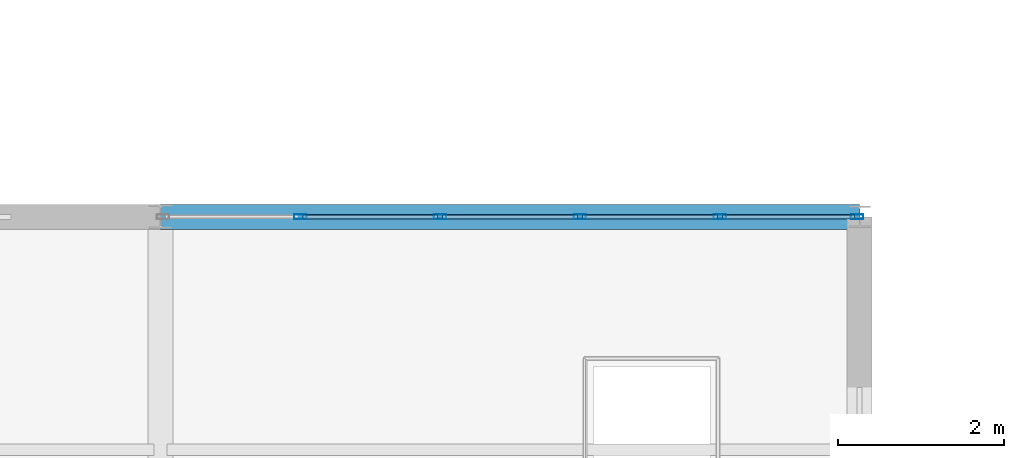
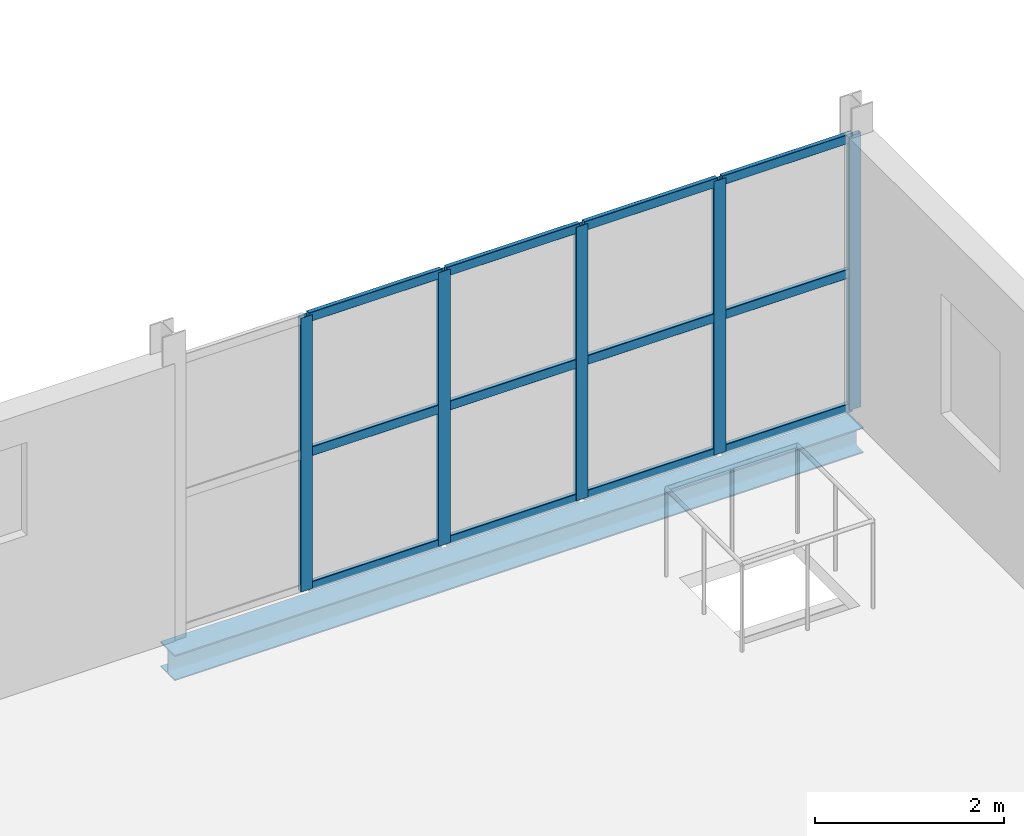
# One storey, part 104 of 163: 17 members, 1 beam, 1 element without a shape of its own.
"""IFC4 building model written with IfcOpenShell, lengths in metres."""

from ifc_helpers import new_model, si_unit, direction, frame, origin, origin_2d, place, context, subcontext, project, spatial, hollow_rectangle, i_section, extrude, material, layer, layer_set, material_profile, profile_set, type_object, element, aggregate, save


model = new_model("IFC4")

# Units and contexts
model_context = context("Model", 3, precision=1e-05, world=origin(), true_north=direction((0.0, 1.0)))
body_context = subcontext(model_context, "Body", "Model", "MODEL_VIEW")
ifc_project = project(units=[si_unit("LENGTHUNIT", "METRE"), si_unit("AREAUNIT", "SQUARE_METRE"), si_unit("VOLUMEUNIT", "CUBIC_METRE"), si_unit("PLANEANGLEUNIT", "RADIAN"), si_unit("MASSUNIT", "GRAM", prefix="KILO")], contexts=[model_context])

# Site, building, storey
site_placement = place(None, origin())
site = spatial("IfcSite", under=ifc_project, at=site_placement, CompositionType="ELEMENT")
building_placement = place(site_placement, origin())
building = spatial("IfcBuilding", under=site, at=building_placement, Name="Qalvenar Corner Mobility Hub", CompositionType="ELEMENT")
storey_placement = place(building_placement, frame((0.0, 0.0, 4.800048828125)))
storey = spatial("IfcBuildingStorey", under=building, at=storey_placement, Name="L01", CompositionType="ELEMENT", Elevation=4.800048828125)

# Beam
ifc_material_1 = material(Name="Steel S355", Category="steel")
ifc_material_profile_1 = material_profile(ifc_material_1, i_section(OverallWidth=0.300048828125, OverallDepth=0.330078125, WebThickness=0.009521484375, FlangeThickness=0.0166015625, FilletRadius=0.027099609375, at=origin_2d()), Name="HEA340")
ifc_profile_set_1 = profile_set([ifc_material_profile_1], Name="Steel S355")
beam_type = type_object("IfcBeamType", Name="BM-SPN340", PredefinedType="SPANDREL", material=ifc_profile_set_1)
beam_placement = place(storey_placement, frame((159.60009765625, 50.39990234375, -0.344970703125), z_axis=(1.0, 0.0, 0.0), x_axis=(0.0, 1.0, 0.0)))
element("IfcBeam", 1, at=beam_placement, inside=storey, type_object=beam_type, Name="Primary Steel Girder GX-1026", PredefinedType="SPANDREL", context=body_context, shape_type="SweptSolid", body=[
    extrude(i_section(OverallWidth=0.300048828125, OverallDepth=0.330078125, WebThickness=0.009521484375, FlangeThickness=0.0166015625, FilletRadius=0.027099609375, at=origin_2d()), origin(), (0.0, 0.0, 1.0), 8.39990234375),
])

# Curtain wall, members
ifc_material_2 = material(Name="Anodised Aluminium and Low-E Glazing", Category="aluminium")
ifc_layer = layer(ifc_material_2, 0.14990234375)
ifc_layer_set = layer_set([ifc_layer], Name="Anodised Aluminium and Low-E Glazing")
curtain_wall_type = type_object("IfcCurtainWallType", Name="CW-WKS-84X44", PredefinedType="NOTDEFINED", material=ifc_layer_set)
curtain_wall_placement = place(storey_placement, origin())
curtain_wall = element("IfcCurtainWall", 2, at=curtain_wall_placement, inside=storey, type_object=curtain_wall_type, Name="Glazed Curtain Wall CW-V6-L01-N6", PredefinedType="NOTDEFINED")
ifc_material_3 = material(Name="Anodised Aluminium 6063-T6", Category="aluminium")
ifc_material_profile_2 = material_profile(ifc_material_3, hollow_rectangle(XDim=0.06005859375, YDim=0.14990234375, WallThickness=0.00390625, InnerFilletRadius=0.00390625, OuterFilletRadius=0.008056640625, at=origin_2d()), Name="RHS150x60x4")
ifc_profile_set_2 = profile_set([ifc_material_profile_2], Name="Anodised Aluminium 6063-T6")
member_type_1 = type_object("IfcMemberType", Name="CW-MUL150", PredefinedType="MULLION", material=ifc_profile_set_2)
member_1_placement = place(storey_placement, frame((167.969970703125, 50.39990234375, 0.0), z_axis=(0.0, 0.0, 1.0), x_axis=(0.0, -1.0, 0.0)))
member_1 = element("IfcMember", 3, at=member_1_placement, type_object=member_type_1, Name="CW-09 mullion 1", PredefinedType="MULLION", context=body_context, shape_type="SweptSolid", body=[
    extrude(hollow_rectangle(XDim=0.06005859375, YDim=0.14990234375, WallThickness=0.00390625, InnerFilletRadius=0.00390625, OuterFilletRadius=0.008056640625, at=origin_2d()), origin(), (0.0, 0.0, 1.0), 3.530029296875),
])
member_2_placement = place(storey_placement, frame((166.320068359375, 50.39990234375, 0.0), z_axis=(0.0, 0.0, 1.0), x_axis=(0.0, -1.0, 0.0)))
member_2 = element("IfcMember", 4, at=member_2_placement, type_object=member_type_1, Name="CW-09 mullion 2", PredefinedType="MULLION", context=body_context, shape_type="SweptSolid", body=[
    extrude(hollow_rectangle(XDim=0.06005859375, YDim=0.14990234375, WallThickness=0.00390625, InnerFilletRadius=0.00390625, OuterFilletRadius=0.008056640625, at=origin_2d()), origin(), (0.0, 0.0, 1.0), 3.530029296875),
])
member_3_placement = place(storey_placement, frame((164.639892578125, 50.39990234375, 0.0), z_axis=(0.0, 0.0, 1.0), x_axis=(0.0, -1.0, 0.0)))
member_3 = element("IfcMember", 5, at=member_3_placement, type_object=member_type_1, Name="CW-09 mullion 3", PredefinedType="MULLION", context=body_context, shape_type="SweptSolid", body=[
    extrude(hollow_rectangle(XDim=0.06005859375, YDim=0.14990234375, WallThickness=0.00390625, InnerFilletRadius=0.00390625, OuterFilletRadius=0.008056640625, at=origin_2d()), origin(), (0.0, 0.0, 1.0), 3.530029296875),
])
member_4_placement = place(storey_placement, frame((162.9599609375, 50.39990234375, 0.0), z_axis=(0.0, 0.0, 1.0), x_axis=(0.0, -1.0, 0.0)))
member_4 = element("IfcMember", 6, at=member_4_placement, type_object=member_type_1, Name="CW-09 mullion 4", PredefinedType="MULLION", context=body_context, shape_type="SweptSolid", body=[
    extrude(hollow_rectangle(XDim=0.06005859375, YDim=0.14990234375, WallThickness=0.00390625, InnerFilletRadius=0.00390625, OuterFilletRadius=0.008056640625, at=origin_2d()), origin(), (0.0, 0.0, 1.0), 3.530029296875),
])
member_5_placement = place(storey_placement, frame((161.280029296875, 50.39990234375, 0.0), z_axis=(0.0, 0.0, 1.0), x_axis=(0.0, -1.0, 0.0)))
member_5 = element("IfcMember", 7, at=member_5_placement, type_object=member_type_1, Name="CW-09 mullion 5", PredefinedType="MULLION", context=body_context, shape_type="SweptSolid", body=[
    extrude(hollow_rectangle(XDim=0.06005859375, YDim=0.14990234375, WallThickness=0.00390625, InnerFilletRadius=0.00390625, OuterFilletRadius=0.008056640625, at=origin_2d()), origin(), (0.0, 0.0, 1.0), 3.530029296875),
])
ifc_material_profile_3 = material_profile(ifc_material_3, hollow_rectangle(XDim=0.054931640625, YDim=0.1201171875, WallThickness=0.00341796875, InnerFilletRadius=0.00341796875, OuterFilletRadius=0.007080078125, at=origin_2d()), Name="RHS120x55x3.5")
ifc_profile_set_3 = profile_set([ifc_material_profile_3], Name="Anodised Aluminium 6063-T6")
member_type_2 = type_object("IfcMemberType", Name="CW-TRN120", PredefinedType="USERDEFINED", material=ifc_profile_set_3)
member_6_placement = place(storey_placement, frame((167.93994140625, 50.39990234375, 0.02734375), z_axis=(-1.0, 0.0, 0.0), x_axis=(0.0, -1.0, 0.0)))
member_6 = element("IfcMember", 8, at=member_6_placement, type_object=member_type_2, Name="CW-09 transom 1.1", ObjectType="TRANSOM", PredefinedType="USERDEFINED", context=body_context, shape_type="SweptSolid", body=[
    extrude(hollow_rectangle(XDim=0.054931640625, YDim=0.1201171875, WallThickness=0.00341796875, InnerFilletRadius=0.00341796875, OuterFilletRadius=0.007080078125, at=origin_2d()), origin(), (0.0, 0.0, 1.0), 1.58984375),
])
member_7_placement = place(storey_placement, frame((167.93994140625, 50.39990234375, 1.764892578125), z_axis=(-1.0, 0.0, 0.0), x_axis=(0.0, -1.0, 0.0)))
member_7 = element("IfcMember", 9, at=member_7_placement, type_object=member_type_2, Name="CW-09 transom 1.2", ObjectType="TRANSOM", PredefinedType="USERDEFINED", context=body_context, shape_type="SweptSolid", body=[
    extrude(hollow_rectangle(XDim=0.054931640625, YDim=0.1201171875, WallThickness=0.00341796875, InnerFilletRadius=0.00341796875, OuterFilletRadius=0.007080078125, at=origin_2d()), origin(), (0.0, 0.0, 1.0), 1.58984375),
])
member_8_placement = place(storey_placement, frame((167.93994140625, 50.39990234375, 3.50244140625), z_axis=(-1.0, 0.0, 0.0), x_axis=(0.0, -1.0, 0.0)))
member_8 = element("IfcMember", 10, at=member_8_placement, type_object=member_type_2, Name="CW-09 transom 1.3", ObjectType="TRANSOM", PredefinedType="USERDEFINED", context=body_context, shape_type="SweptSolid", body=[
    extrude(hollow_rectangle(XDim=0.054931640625, YDim=0.1201171875, WallThickness=0.00341796875, InnerFilletRadius=0.00341796875, OuterFilletRadius=0.007080078125, at=origin_2d()), origin(), (0.0, 0.0, 1.0), 1.58984375),
])
member_9_placement = place(storey_placement, frame((166.2900390625, 50.39990234375, 0.02734375), z_axis=(-1.0, 0.0, 0.0), x_axis=(0.0, -1.0, 0.0)))
member_9 = element("IfcMember", 11, at=member_9_placement, type_object=member_type_2, Name="CW-09 transom 2.1", ObjectType="TRANSOM", PredefinedType="USERDEFINED", context=body_context, shape_type="SweptSolid", body=[
    extrude(hollow_rectangle(XDim=0.054931640625, YDim=0.1201171875, WallThickness=0.00341796875, InnerFilletRadius=0.00341796875, OuterFilletRadius=0.007080078125, at=origin_2d()), origin(), (0.0, 0.0, 1.0), 1.6201171875),
])
member_10_placement = place(storey_placement, frame((166.2900390625, 50.39990234375, 1.764892578125), z_axis=(-1.0, 0.0, 0.0), x_axis=(0.0, -1.0, 0.0)))
member_10 = element("IfcMember", 12, at=member_10_placement, type_object=member_type_2, Name="CW-09 transom 2.2", ObjectType="TRANSOM", PredefinedType="USERDEFINED", context=body_context, shape_type="SweptSolid", body=[
    extrude(hollow_rectangle(XDim=0.054931640625, YDim=0.1201171875, WallThickness=0.00341796875, InnerFilletRadius=0.00341796875, OuterFilletRadius=0.007080078125, at=origin_2d()), origin(), (0.0, 0.0, 1.0), 1.6201171875),
])
member_11_placement = place(storey_placement, frame((166.2900390625, 50.39990234375, 3.50244140625), z_axis=(-1.0, 0.0, 0.0), x_axis=(0.0, -1.0, 0.0)))
member_11 = element("IfcMember", 13, at=member_11_placement, type_object=member_type_2, Name="CW-09 transom 2.3", ObjectType="TRANSOM", PredefinedType="USERDEFINED", context=body_context, shape_type="SweptSolid", body=[
    extrude(hollow_rectangle(XDim=0.054931640625, YDim=0.1201171875, WallThickness=0.00341796875, InnerFilletRadius=0.00341796875, OuterFilletRadius=0.007080078125, at=origin_2d()), origin(), (0.0, 0.0, 1.0), 1.6201171875),
])
member_12_placement = place(storey_placement, frame((164.610107421875, 50.39990234375, 0.02734375), z_axis=(-1.0, 0.0, 0.0), x_axis=(0.0, -1.0, 0.0)))
member_12 = element("IfcMember", 14, at=member_12_placement, type_object=member_type_2, Name="CW-09 transom 3.1", ObjectType="TRANSOM", PredefinedType="USERDEFINED", context=body_context, shape_type="SweptSolid", body=[
    extrude(hollow_rectangle(XDim=0.054931640625, YDim=0.1201171875, WallThickness=0.00341796875, InnerFilletRadius=0.00341796875, OuterFilletRadius=0.007080078125, at=origin_2d()), origin(), (0.0, 0.0, 1.0), 1.6201171875),
])
member_13_placement = place(storey_placement, frame((164.610107421875, 50.39990234375, 1.764892578125), z_axis=(-1.0, 0.0, 0.0), x_axis=(0.0, -1.0, 0.0)))
member_13 = element("IfcMember", 15, at=member_13_placement, type_object=member_type_2, Name="CW-09 transom 3.2", ObjectType="TRANSOM", PredefinedType="USERDEFINED", context=body_context, shape_type="SweptSolid", body=[
    extrude(hollow_rectangle(XDim=0.054931640625, YDim=0.1201171875, WallThickness=0.00341796875, InnerFilletRadius=0.00341796875, OuterFilletRadius=0.007080078125, at=origin_2d()), origin(), (0.0, 0.0, 1.0), 1.6201171875),
])
member_14_placement = place(storey_placement, frame((164.610107421875, 50.39990234375, 3.50244140625), z_axis=(-1.0, 0.0, 0.0), x_axis=(0.0, -1.0, 0.0)))
member_14 = element("IfcMember", 16, at=member_14_placement, type_object=member_type_2, Name="CW-09 transom 3.3", ObjectType="TRANSOM", PredefinedType="USERDEFINED", context=body_context, shape_type="SweptSolid", body=[
    extrude(hollow_rectangle(XDim=0.054931640625, YDim=0.1201171875, WallThickness=0.00341796875, InnerFilletRadius=0.00341796875, OuterFilletRadius=0.007080078125, at=origin_2d()), origin(), (0.0, 0.0, 1.0), 1.6201171875),
])
member_15_placement = place(storey_placement, frame((162.929931640625, 50.39990234375, 0.02734375), z_axis=(-1.0, 0.0, 0.0), x_axis=(0.0, -1.0, 0.0)))
member_15 = element("IfcMember", 17, at=member_15_placement, type_object=member_type_2, Name="CW-09 transom 4.1", ObjectType="TRANSOM", PredefinedType="USERDEFINED", context=body_context, shape_type="SweptSolid", body=[
    extrude(hollow_rectangle(XDim=0.054931640625, YDim=0.1201171875, WallThickness=0.00341796875, InnerFilletRadius=0.00341796875, OuterFilletRadius=0.007080078125, at=origin_2d()), origin(), (0.0, 0.0, 1.0), 1.619873046875),
])
member_16_placement = place(storey_placement, frame((162.929931640625, 50.39990234375, 1.764892578125), z_axis=(-1.0, 0.0, 0.0), x_axis=(0.0, -1.0, 0.0)))
member_16 = element("IfcMember", 18, at=member_16_placement, type_object=member_type_2, Name="CW-09 transom 4.2", ObjectType="TRANSOM", PredefinedType="USERDEFINED", context=body_context, shape_type="SweptSolid", body=[
    extrude(hollow_rectangle(XDim=0.054931640625, YDim=0.1201171875, WallThickness=0.00341796875, InnerFilletRadius=0.00341796875, OuterFilletRadius=0.007080078125, at=origin_2d()), origin(), (0.0, 0.0, 1.0), 1.619873046875),
])
member_17_placement = place(storey_placement, frame((162.929931640625, 50.39990234375, 3.50244140625), z_axis=(-1.0, 0.0, 0.0), x_axis=(0.0, -1.0, 0.0)))
member_17 = element("IfcMember", 19, at=member_17_placement, type_object=member_type_2, Name="CW-09 transom 4.3", ObjectType="TRANSOM", PredefinedType="USERDEFINED", context=body_context, shape_type="SweptSolid", body=[
    extrude(hollow_rectangle(XDim=0.054931640625, YDim=0.1201171875, WallThickness=0.00341796875, InnerFilletRadius=0.00341796875, OuterFilletRadius=0.007080078125, at=origin_2d()), origin(), (0.0, 0.0, 1.0), 1.619873046875),
])
aggregate(curtain_wall, [member_1, member_2, member_3, member_4, member_5, member_6, member_7, member_8, member_9, member_10, member_11, member_12, member_13, member_14, member_15, member_16, member_17])

save(model, "model.ifc")
